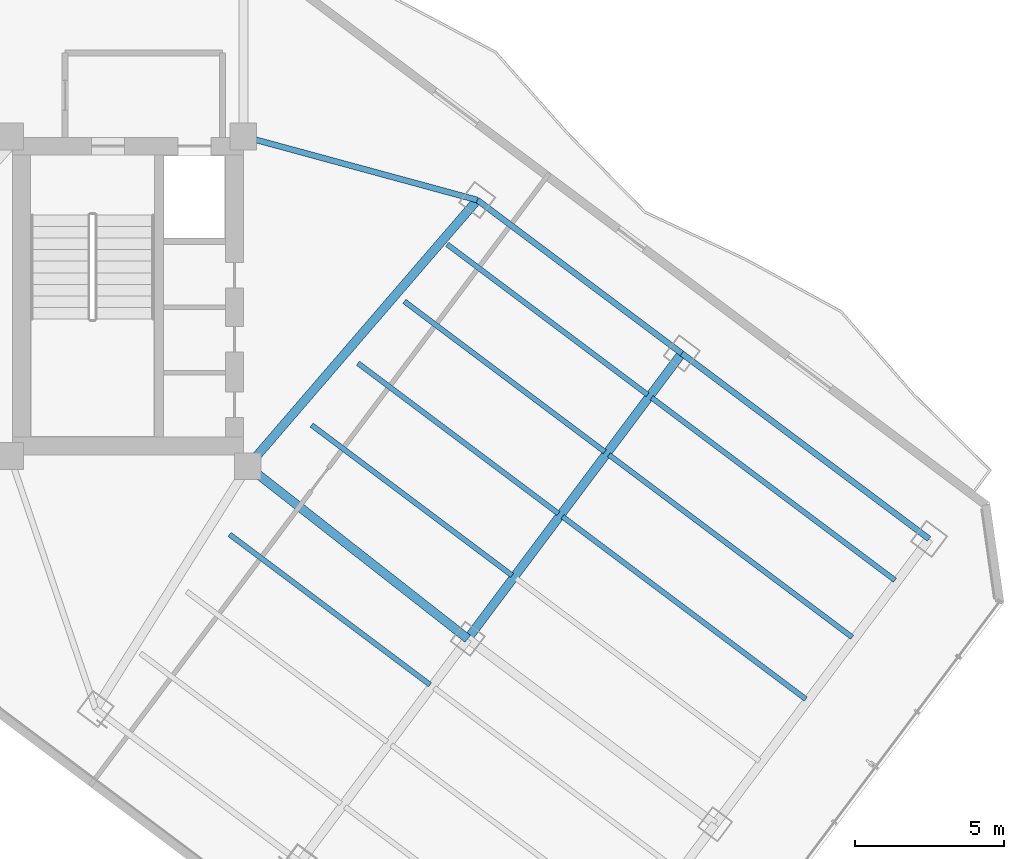
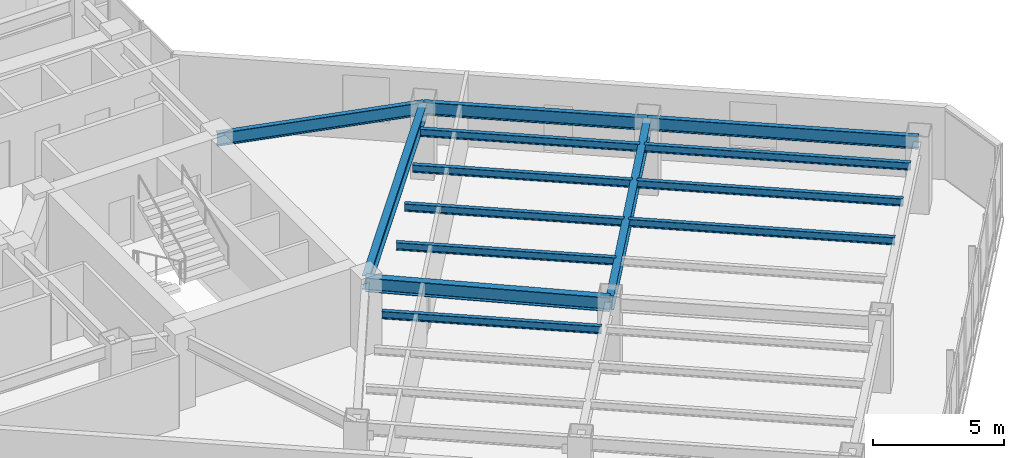
# One storey, part 11 of 29: 14 beams.
"""IFC4 building model written with IfcOpenShell, lengths in metres."""

from ifc_helpers import new_model, si_unit, direction, frame, origin, origin_2d, place, context, subcontext, project, spatial, i_section, extrude, material, material_profile, profile_set, type_object, element, save


model = new_model("IFC4")

# Units and contexts
model_context = context("Model", 3, precision=1e-05, world=origin(), true_north=direction((0.0, 1.0)))
body_context = subcontext(model_context, "Body", "Model", "MODEL_VIEW")
ifc_project = project(units=[si_unit("LENGTHUNIT", "METRE"), si_unit("AREAUNIT", "SQUARE_METRE"), si_unit("VOLUMEUNIT", "CUBIC_METRE"), si_unit("PLANEANGLEUNIT", "RADIAN"), si_unit("MASSUNIT", "GRAM", prefix="KILO")], contexts=[model_context])

# Site, building, storey
site_placement = place(None, origin())
site = spatial("IfcSite", under=ifc_project, at=site_placement, CompositionType="ELEMENT")
building_placement = place(site_placement, origin())
building = spatial("IfcBuilding", under=site, at=building_placement, Name="Hatsunagi Terrace Concourse", CompositionType="ELEMENT")
storey_placement = place(building_placement, frame((0.0, 0.0, 115.64990234375)))
storey = spatial("IfcBuildingStorey", under=building, at=storey_placement, Name="L30", CompositionType="ELEMENT", Elevation=115.64990234375)

# Beams
ifc_material_1 = material(Name="Steel SN490B", Category="steel")
ifc_material_profile_1 = material_profile(ifc_material_1, i_section(OverallWidth=0.175048828125, OverallDepth=0.35009765625, WebThickness=0.007080078125, FlangeThickness=0.010986328125, FilletRadius=0.012939453125, at=origin_2d()), Name="H-350x175x7x11")
ifc_profile_set_1 = profile_set([ifc_material_profile_1], Name="Steel SN490B")
beam_type_1 = type_object("IfcBeamType", Name="HotelJoist_H_350x175", PredefinedType="JOIST", material=ifc_profile_set_1)
for number, where, z_axis, x_axis, name in (
    (1, (43.18798828125, 21.908935546875, 3.175048828125), (0.800003475366, -0.59999536615, 0.0), (0.59999536615, 0.800003475366, 0.0), "Beam J-02 J-L30-SE-2-96"),
    (2, (45.947998046875, 25.589111328125, 3.175048828125), (0.799989573921, -0.600013901187, 0.0), (0.600013901187, 0.799989573921, 0.0), "Beam J-02 J-L30-SE-2-142"),
    (3, (47.508056640625, 27.6689453125, 3.175048828125), (0.800003475366, -0.59999536615, 0.0), (0.59999536615, 0.800003475366, 0.0), "Beam J-02 J-L30-SE-2-168"),
    (4, (49.068115234375, 29.7490234375, 3.175048828125), (0.799989573921, -0.600013901187, 0.0), (0.600013901187, 0.799989573921, 0.0), "Beam J-02 J-L30-SE-2-194"),
    (5, (50.508056640625, 31.6689453125, 3.175048828125), (0.800003475366, -0.59999536615, 0.0), (0.59999536615, 0.800003475366, 0.0), "Beam J-02 J-L30-SE-2-218"),
):
    element("IfcBeam", number, at=place(storey_placement, frame(where, z_axis=z_axis, x_axis=x_axis)), inside=storey, type_object=beam_type_1, Name=name, PredefinedType="JOIST", context=body_context, shape_type="SweptSolid", body=[
        extrude(i_section(OverallWidth=0.175048828125, OverallDepth=0.35009765625, WebThickness=0.007080078125, FlangeThickness=0.010986328125, FilletRadius=0.012939453125, at=origin_2d()), origin(), (0.0, 0.0, 1.0), 8.429931640625),
    ])
beam_1_placement = place(storey_placement, frame((54.387939453125, 22.509033203125, 3.175048828125), z_axis=(0.800005727586, -0.599992363142, 0.0), x_axis=(0.599992363142, 0.800005727586, 0.0)))
element("IfcBeam", 6, at=beam_1_placement, inside=storey, type_object=beam_type_1, Name="Beam J-02 J-L30-SE-3-168", PredefinedType="JOIST", context=body_context, shape_type="SweptSolid", body=[
    extrude(i_section(OverallWidth=0.175048828125, OverallDepth=0.35009765625, WebThickness=0.007080078125, FlangeThickness=0.010986328125, FilletRadius=0.012939453125, at=origin_2d()), origin(), (0.0, 0.0, 1.0), 10.22998046875),
])
beam_2_placement = place(storey_placement, frame((55.947998046875, 24.589111328125, 3.175048828125), z_axis=(0.799994272423, -0.600007636694, 0.0), x_axis=(0.600007636694, 0.799994272423, 0.0)))
element("IfcBeam", 7, at=beam_2_placement, inside=storey, type_object=beam_type_1, Name="Beam J-02 J-L30-SE-3-194", PredefinedType="JOIST", context=body_context, shape_type="SweptSolid", body=[
    extrude(i_section(OverallWidth=0.175048828125, OverallDepth=0.35009765625, WebThickness=0.007080078125, FlangeThickness=0.010986328125, FilletRadius=0.012939453125, at=origin_2d()), origin(), (0.0, 0.0, 1.0), 10.230224609375),
])
beam_3_placement = place(storey_placement, frame((57.387939453125, 26.509033203125, 3.175048828125), z_axis=(0.800005727586, -0.599992363142, 0.0), x_axis=(0.599992363142, 0.800005727586, 0.0)))
element("IfcBeam", 8, at=beam_3_placement, inside=storey, type_object=beam_type_1, Name="Beam J-02 J-L30-SE-3-218", PredefinedType="JOIST", context=body_context, shape_type="SweptSolid", body=[
    extrude(i_section(OverallWidth=0.175048828125, OverallDepth=0.35009765625, WebThickness=0.007080078125, FlangeThickness=0.010986328125, FilletRadius=0.012939453125, at=origin_2d()), origin(), (0.0, 0.0, 1.0), 10.22998046875),
])
ifc_material_2 = material(Name="Steel SN490B", Category="steel")
ifc_material_profile_2 = material_profile(ifc_material_2, i_section(OverallWidth=0.300048828125, OverallDepth=0.64990234375, WebThickness=0.012939453125, FlangeThickness=0.02197265625, FilletRadius=0.01806640625, at=origin_2d()), Name="H-650x300x13x22")
ifc_profile_set_2 = profile_set([ifc_material_profile_2], Name="Steel SN490B")
beam_type_2 = type_object("IfcBeamType", Name="OfficeLowGirder_H_650x300", PredefinedType="BEAM", material=ifc_profile_set_2)
beam_4_placement = place(storey_placement, frame((43.800048828125, 24.199951171875, 3.025146484375), z_axis=(0.652739101421, 0.757582777969, 0.0), x_axis=(-0.757582777969, 0.652739101421, 0.0)))
element("IfcBeam", 9, at=beam_4_placement, inside=storey, type_object=beam_type_2, Name="Beam G-05 BM-L30-SET-1B", PredefinedType="BEAM", context=body_context, shape_type="SweptSolid", body=[
    extrude(i_section(OverallWidth=0.300048828125, OverallDepth=0.64990234375, WebThickness=0.012939453125, FlangeThickness=0.02197265625, FilletRadius=0.01806640625, at=origin_2d()), origin(), (0.0, 0.0, 1.0), 11.8271484375),
])
beam_5_placement = place(storey_placement, frame((43.800048828125, 24.199951171875, 3.025146484375), z_axis=(0.787049441068, -0.616889923175, 0.0), x_axis=(0.616889923175, 0.787049441068, 0.0)))
element("IfcBeam", 10, at=beam_5_placement, inside=storey, type_object=beam_type_2, Name="Beam G-05 BM-L30-SE-M2", PredefinedType="BEAM", context=body_context, shape_type="SweptSolid", body=[
    extrude(i_section(OverallWidth=0.300048828125, OverallDepth=0.64990234375, WebThickness=0.012939453125, FlangeThickness=0.02197265625, FilletRadius=0.01806640625, at=origin_2d()), origin(), (0.0, 0.0, 1.0), 9.402099609375),
])
beam_6_placement = place(storey_placement, frame((51.199951171875, 18.39990234375, 3.025146484375), z_axis=(0.59999348959, 0.800004882766, 0.0), x_axis=(-0.800004882766, 0.59999348959, 0.0)))
element("IfcBeam", 11, at=beam_6_placement, inside=storey, type_object=beam_type_2, Name="Beam G-05 BM-L30-SET-2B", PredefinedType="BEAM", context=body_context, shape_type="SweptSolid", body=[
    extrude(i_section(OverallWidth=0.300048828125, OverallDepth=0.64990234375, WebThickness=0.012939453125, FlangeThickness=0.02197265625, FilletRadius=0.01806640625, at=origin_2d()), origin(), (0.0, 0.0, 1.0), 12.0),
])
ifc_material_3 = material(Name="Steel SN490B", Category="steel")
ifc_material_profile_3 = material_profile(ifc_material_3, i_section(OverallWidth=0.199951171875, OverallDepth=0.60009765625, WebThickness=0.010986328125, FlangeThickness=0.01708984375, FilletRadius=0.01806640625, at=origin_2d()), Name="H-600x200x11x17")
ifc_profile_set_3 = profile_set([ifc_material_profile_3], Name="Steel SN490B")
beam_type_3 = type_object("IfcBeamType", Name="PerimeterSpandrel_H_600x200", PredefinedType="SPANDREL", material=ifc_profile_set_3)
beam_7_placement = place(storey_placement, frame((43.64990234375, 35.300048828125, 3.050048828125), z_axis=(0.964958359286, -0.262403057994, 0.0), x_axis=(0.262403057994, 0.964958359286, 0.0)))
element("IfcBeam", 12, at=beam_7_placement, inside=storey, type_object=beam_type_3, Name="Beam SP-01 BM-L30-SE-NE0", PredefinedType="SPANDREL", context=body_context, shape_type="SweptSolid", body=[
    extrude(i_section(OverallWidth=0.199951171875, OverallDepth=0.60009765625, WebThickness=0.010986328125, FlangeThickness=0.01708984375, FilletRadius=0.01806640625, at=origin_2d()), origin(), (0.0, 0.0, 1.0), 8.156005859375),
])
beam_8_placement = place(storey_placement, frame((51.52001953125, 33.159912109375, 3.050048828125), z_axis=(0.8, -0.6, 0.0), x_axis=(0.6, 0.8, 0.0)))
element("IfcBeam", 13, at=beam_8_placement, inside=storey, type_object=beam_type_3, Name="Beam SP-01 BM-L30-SE-NE2", PredefinedType="SPANDREL", context=body_context, shape_type="SweptSolid", body=[
    extrude(i_section(OverallWidth=0.199951171875, OverallDepth=0.60009765625, WebThickness=0.010986328125, FlangeThickness=0.01708984375, FilletRadius=0.01806640625, at=origin_2d()), origin(), (0.0, 0.0, 1.0), 8.599853515625),
])
beam_9_placement = place(storey_placement, frame((58.39990234375, 28.0, 3.050048828125), z_axis=(0.800002816985, -0.599996244001, 0.0), x_axis=(0.599996244001, 0.800002816985, 0.0)))
element("IfcBeam", 14, at=beam_9_placement, inside=storey, type_object=beam_type_3, Name="Beam SP-01 BM-L30-SE-NE3", PredefinedType="SPANDREL", context=body_context, shape_type="SweptSolid", body=[
    extrude(i_section(OverallWidth=0.199951171875, OverallDepth=0.60009765625, WebThickness=0.010986328125, FlangeThickness=0.01708984375, FilletRadius=0.01806640625, at=origin_2d()), origin(), (0.0, 0.0, 1.0), 10.400146484375),
])

save(model, "model.ifc")
